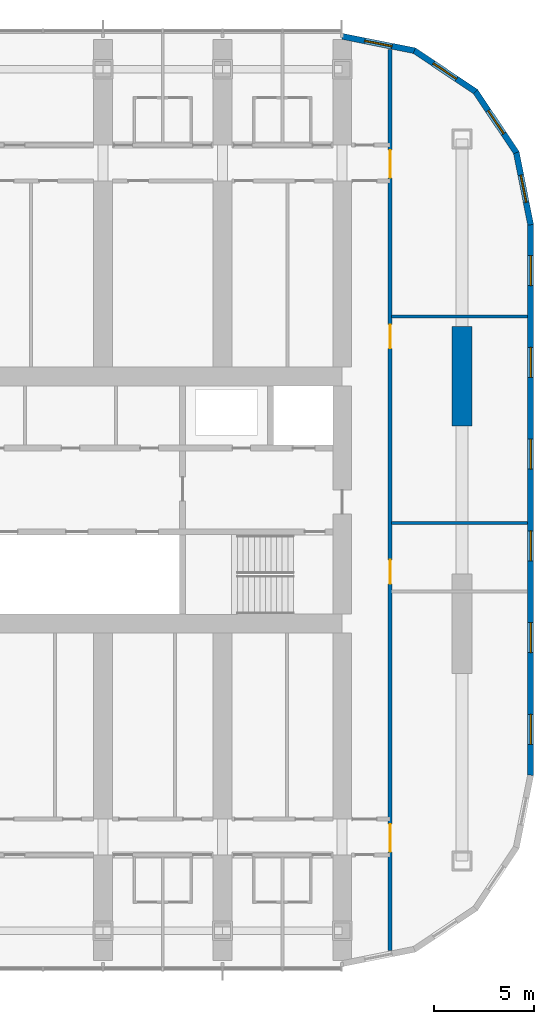
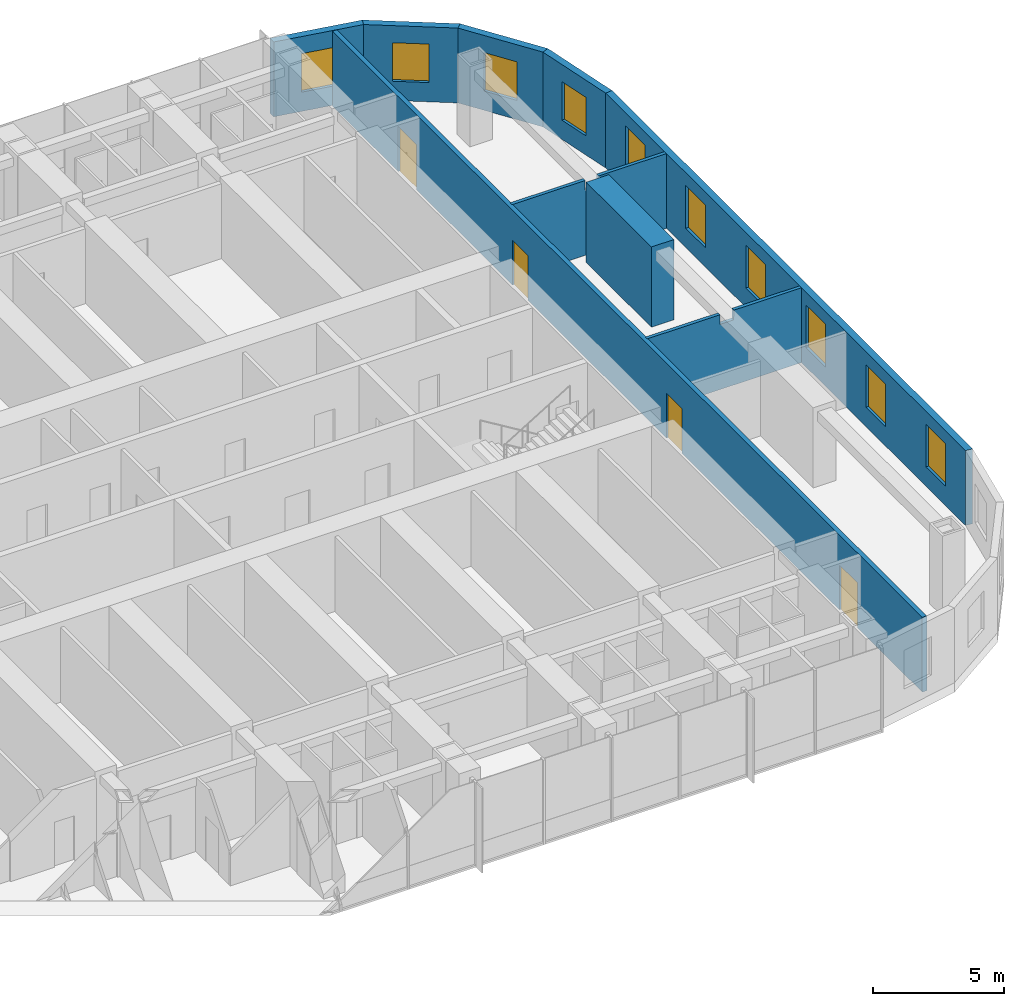
# One storey, part 18 of 25: 10 windows, 9 walls, 4 doors, 14 openings.
"""IFC4 building model written with IfcOpenShell, lengths in metres."""

from ifc_helpers import new_model, si_unit, direction, frame, frame_2d, origin, place, context, subcontext, project, spatial, polyline, rectangle, outline, extrude, material, layer, layer_set, type_object, element, fill, save


model = new_model("IFC4")

# Units and contexts
model_context = context("Model", 3, precision=1e-05, world=origin(), true_north=direction((0.0, 1.0)))
body_context = subcontext(model_context, "Body", "Model", "MODEL_VIEW")
ifc_project = project(units=[si_unit("LENGTHUNIT", "METRE"), si_unit("AREAUNIT", "SQUARE_METRE"), si_unit("VOLUMEUNIT", "CUBIC_METRE"), si_unit("PLANEANGLEUNIT", "RADIAN"), si_unit("MASSUNIT", "GRAM", prefix="KILO")], contexts=[model_context])

# Site, building, storey
site_placement = place(None, origin())
site = spatial("IfcSite", under=ifc_project, at=site_placement, CompositionType="ELEMENT")
building_placement = place(site_placement, origin())
building = spatial("IfcBuilding", under=site, at=building_placement, Name="Orbita Commons", CompositionType="ELEMENT")
storey_placement = place(building_placement, frame((0.0, 0.0, 99.39990234375)))
storey = spatial("IfcBuildingStorey", under=building, at=storey_placement, Name="L24", CompositionType="ELEMENT", Elevation=99.39990234375)

# Wall, openings, doors
ifc_material_1 = material(Name="Concrete blockwork", Category="masonry")
ifc_layer_1 = layer(ifc_material_1, 0.199951171875)
ifc_layer_set_1 = layer_set([ifc_layer_1], Name="Concrete blockwork")
wall_type_1 = type_object("IfcWallType", Name="Corridor wall 200 blockwork", PredefinedType="SOLIDWALL", material=ifc_layer_set_1)
wall_1_placement = place(storey_placement, frame((68.39990234375, 9.4052734375, 0.0), z_axis=(0.0, 0.0, 1.0), x_axis=(0.0, 1.0, 0.0)))
wall_1 = element("IfcWall", 1, at=wall_1_placement, inside=storey, type_object=wall_type_1, Name="Corridor wall 200 blockwork L24", PredefinedType="SOLIDWALL", context=body_context, shape_type="SweptSolid", body=[
    extrude(rectangle(XDim=45.189453125, YDim=0.199951171875, at=frame_2d((22.5947265625, 0.0))), origin(), (0.0, 0.0, 1.0), 3.5),
])
opening_1_placement = place(wall_1_placement, frame((18.394775390625, 0.0, 0.0)))
opening_1 = element("IfcOpeningElement", 2, at=opening_1_placement, cuts=wall_1, Name="Opening D15", PredefinedType="OPENING", context=body_context, shape_type="SweptSolid", body=[
    extrude(rectangle(XDim=1.199951171875, YDim=2.10009765625, at=frame_2d((0.60009765625, 1.050048828125))), frame((0.0, 0.10986328125, 0.0), z_axis=(0.0, -1.0, 0.0), x_axis=(1.0, 0.0, 0.0)), (0.0, 0.0, 1.0), 0.219970703125),
])
opening_2_placement = place(wall_1_placement, frame((30.19482421875, 0.0, 0.0)))
opening_2 = element("IfcOpeningElement", 3, at=opening_2_placement, cuts=wall_1, Name="Opening D15", PredefinedType="OPENING", context=body_context, shape_type="SweptSolid", body=[
    extrude(rectangle(XDim=1.199951171875, YDim=2.10009765625, at=frame_2d((0.60009765625, 1.050048828125))), frame((0.0, 0.10986328125, 0.0), z_axis=(0.0, -1.0, 0.0), x_axis=(1.0, 0.0, 0.0)), (0.0, 0.0, 1.0), 0.219970703125),
])
opening_3_placement = place(wall_1_placement, frame((4.94482421875, 0.0, 0.0)))
opening_3 = element("IfcOpeningElement", 4, at=opening_3_placement, cuts=wall_1, Name="Opening D08", PredefinedType="OPENING", context=body_context, shape_type="SweptSolid", body=[
    extrude(rectangle(XDim=1.39990234375, YDim=2.10009765625, at=frame_2d((0.699951171875, 1.050048828125))), frame((0.0, 0.10986328125, 0.0), z_axis=(0.0, -1.0, 0.0), x_axis=(1.0, 0.0, 0.0)), (0.0, 0.0, 1.0), 0.219970703125),
])
opening_4_placement = place(wall_1_placement, frame((38.74462890625, 0.0, 0.0)))
opening_4 = element("IfcOpeningElement", 5, at=opening_4_placement, cuts=wall_1, Name="Opening D08", PredefinedType="OPENING", context=body_context, shape_type="SweptSolid", body=[
    extrude(rectangle(XDim=1.39990234375, YDim=2.10009765625, at=frame_2d((0.699951171875, 1.050048828125))), frame((0.0, 0.10986328125, 0.0), z_axis=(0.0, -1.0, 0.0), x_axis=(1.0, 0.0, 0.0)), (0.0, 0.0, 1.0), 0.219970703125),
])
ifc_material_2 = material(Name="Steel-faced fire door leaf", Category="steel")
door_type_1 = type_object("IfcDoorType", Name="Corridor door 20 min 1200x2100", OperationType="SINGLE_SWING_LEFT", PredefinedType="DOOR", material=ifc_material_2)
door_1_placement = place(opening_1_placement, origin())
door_1 = element("IfcDoor", 6, at=door_1_placement, inside=storey, type_object=door_type_1, Name="Mountain-view lounge door", OperationType="SINGLE_SWING_LEFT", OverallHeight=2.10009765625, OverallWidth=1.199951171875, PredefinedType="DOOR", context=body_context, shape_type="SweptSolid", body=[
    extrude(rectangle(XDim=1.199951171875, YDim=2.10009765625, at=frame_2d((0.60009765625, 1.050048828125))), frame((0.0, 0.02490234375, 0.0), z_axis=(0.0, -1.0, 0.0), x_axis=(1.0, 0.0, 0.0)), (0.0, 0.0, 1.0), 0.050048828125),
])
fill(opening_1, door_1)
door_2_placement = place(opening_2_placement, origin())
door_2 = element("IfcDoor", 7, at=door_2_placement, inside=storey, type_object=door_type_1, Name="Reading room door", OperationType="SINGLE_SWING_LEFT", OverallHeight=2.10009765625, OverallWidth=1.199951171875, PredefinedType="DOOR", context=body_context, shape_type="SweptSolid", body=[
    extrude(rectangle(XDim=1.199951171875, YDim=2.10009765625, at=frame_2d((0.60009765625, 1.050048828125))), frame((0.0, 0.02490234375, 0.0), z_axis=(0.0, -1.0, 0.0), x_axis=(1.0, 0.0, 0.0)), (0.0, 0.0, 1.0), 0.050048828125),
])
fill(opening_2, door_2)
ifc_material_3 = material(Name="Steel-faced fire door leaf", Category="steel")
door_type_2 = type_object("IfcDoorType", Name="Double corridor door 20 min 1400x2100", OperationType="DOUBLE_DOOR_SINGLE_SWING", PredefinedType="DOOR", material=ifc_material_3)
door_3_placement = place(opening_3_placement, origin())
door_3 = element("IfcDoor", 8, at=door_3_placement, inside=storey, type_object=door_type_2, Name="Lounge doors", OperationType="DOUBLE_DOOR_SINGLE_SWING", OverallHeight=2.10009765625, OverallWidth=1.39990234375, PredefinedType="DOOR", context=body_context, shape_type="SweptSolid", body=[
    extrude(rectangle(XDim=1.39990234375, YDim=2.10009765625, at=frame_2d((0.699951171875, 1.050048828125))), frame((0.0, 0.02490234375, 0.0), z_axis=(0.0, -1.0, 0.0), x_axis=(1.0, 0.0, 0.0)), (0.0, 0.0, 1.0), 0.050048828125),
])
fill(opening_3, door_3)
door_4_placement = place(opening_4_placement, origin())
door_4 = element("IfcDoor", 9, at=door_4_placement, inside=storey, type_object=door_type_2, Name="Lounge doors", OperationType="DOUBLE_DOOR_SINGLE_SWING", OverallHeight=2.10009765625, OverallWidth=1.39990234375, PredefinedType="DOOR", context=body_context, shape_type="SweptSolid", body=[
    extrude(rectangle(XDim=1.39990234375, YDim=2.10009765625, at=frame_2d((0.699951171875, 1.050048828125))), frame((0.0, 0.02490234375, 0.0), z_axis=(0.0, -1.0, 0.0), x_axis=(1.0, 0.0, 0.0)), (0.0, 0.0, 1.0), 0.050048828125),
])
fill(opening_4, door_4)

# Walls
ifc_material_4 = material(Name="Concrete C50/60", Category="concrete")
ifc_layer_2 = layer(ifc_material_4, 1.0)
ifc_layer_set_2 = layer_set([ifc_layer_2], Name="Concrete C50/60")
wall_type_2 = type_object("IfcWallType", Name="End pier 1000x5000 C50/60", PredefinedType="SHEAR", material=ifc_layer_set_2)
wall_2_placement = place(storey_placement, frame((72.0, 35.699951171875, 0.0), z_axis=(0.0, 0.0, 1.0), x_axis=(0.0, 1.0, 0.0)))
element("IfcWall", 10, at=wall_2_placement, inside=storey, type_object=wall_type_2, Name="End pier 13/D L24", PredefinedType="SHEAR", context=body_context, shape_type="SweptSolid", body=[
    extrude(rectangle(XDim=5.0, YDim=1.0, at=frame_2d((2.5, 0.0))), origin(), (0.0, 0.0, 1.0), 3.75),
])
ifc_material_5 = material(Name="Gypsum plasterboard on steel studs", Category="steel")
ifc_layer_3 = layer(ifc_material_5, 0.14990234375)
ifc_layer_set_3 = layer_set([ifc_layer_3], Name="Gypsum plasterboard on steel studs")
wall_type_3 = type_object("IfcWallType", Name="Partition 150 plasterboard", PredefinedType="PARTITIONING", material=ifc_layer_set_3)
for number, where, z_axis, x_axis, name in (
    (11, (68.47509765625, 30.85009765625, 0.0), (0.0, 0.0, 1.0), (1.0, 0.0, 0.0), "Partition 150 plasterboard L24"),
    (12, (68.47509765625, 41.199951171875, 0.0), (0.0, 0.0, 1.0), (1.0, 0.0, 0.0), "Partition 150 plasterboard L24"),
):
    element("IfcWall", number, at=place(storey_placement, frame(where, z_axis=z_axis, x_axis=x_axis)), inside=storey, type_object=wall_type_3, Name=name, PredefinedType="PARTITIONING", context=body_context, shape_type="SweptSolid", body=[
        extrude(outline(polyline([(0.0, 0.0), (6.81982421875, 0.0), (6.820068359375, 3.5), (3.826904296875, 3.5), (3.824951171875, 3.050048828125), (3.22705078125, 3.050048828125), (3.22509765625, 3.5), (0.0, 3.5), (0.0, 0.0)])), frame((0.0, 0.074951171875, 0.0), z_axis=(0.0, -1.0, 0.0), x_axis=(1.0, 0.0, 0.0)), (0.0, 0.0, 1.0), 0.14990234375),
    ])

# Wall, openings, windows
ifc_material_6 = material(Name="Precast concrete C40/50, white board-marked finish", Category="concrete")
ifc_layer_4 = layer(ifc_material_6, 0.300048828125)
ifc_layer_set_4 = layer_set([ifc_layer_4], Name="Precast concrete C40/50, white board-marked finish")
wall_type_4 = type_object("IfcWallType", Name="Precast concrete end shield 300", PredefinedType="SOLIDWALL", material=ifc_layer_set_4)
wall_3_placement = place(storey_placement, frame((75.449951171875, 18.199951171875, 0.0), z_axis=(0.0, 0.0, 1.0), x_axis=(0.0, 1.0, 0.0)))
wall_3 = element("IfcWall", 13, at=wall_3_placement, inside=storey, type_object=wall_type_4, Name="End shield E L24", PredefinedType="SOLIDWALL", context=body_context, shape_type="SweptSolid", body=[
    extrude(outline(polyline([(-0.014892578125, -0.14990234375), (27.614990234375, -0.14990234375), (27.585205078125, 0.14990234375), (0.014892578125, 0.14990234375), (-0.014892578125, -0.14990234375)])), origin(), (0.0, 0.0, 1.0), 3.5),
])
opening_5_placement = place(wall_3_placement, frame((1.550048828125, 0.0, 0.89990234375)))
opening_5 = element("IfcOpeningElement", 14, at=opening_5_placement, cuts=wall_3, Name="Opening W01", PredefinedType="OPENING", context=body_context, shape_type="SweptSolid", body=[
    extrude(rectangle(XDim=1.5, YDim=2.0, at=frame_2d((0.75, 1.0))), frame((0.0, 0.159912109375, 0.0), z_axis=(0.0, -1.0, 0.0), x_axis=(1.0, 0.0, 0.0)), (0.0, 0.0, 1.0), 0.320068359375),
])
opening_6_placement = place(wall_3_placement, frame((6.14990234375, 0.0, 0.89990234375)))
opening_6 = element("IfcOpeningElement", 15, at=opening_6_placement, cuts=wall_3, Name="Opening W01", PredefinedType="OPENING", context=body_context, shape_type="SweptSolid", body=[
    extrude(rectangle(XDim=1.5, YDim=2.0, at=frame_2d((0.75, 1.0))), frame((0.0, 0.159912109375, 0.0), z_axis=(0.0, -1.0, 0.0), x_axis=(1.0, 0.0, 0.0)), (0.0, 0.0, 1.0), 0.320068359375),
])
opening_7_placement = place(wall_3_placement, frame((10.75, 0.0, 0.89990234375)))
opening_7 = element("IfcOpeningElement", 16, at=opening_7_placement, cuts=wall_3, Name="Opening W01", PredefinedType="OPENING", context=body_context, shape_type="SweptSolid", body=[
    extrude(rectangle(XDim=1.5, YDim=2.0, at=frame_2d((0.75, 1.0))), frame((0.0, 0.159912109375, 0.0), z_axis=(0.0, -1.0, 0.0), x_axis=(1.0, 0.0, 0.0)), (0.0, 0.0, 1.0), 0.320068359375),
])
opening_8_placement = place(wall_3_placement, frame((15.35009765625, 0.0, 0.89990234375)))
opening_8 = element("IfcOpeningElement", 17, at=opening_8_placement, cuts=wall_3, Name="Opening W01", PredefinedType="OPENING", context=body_context, shape_type="SweptSolid", body=[
    extrude(rectangle(XDim=1.5, YDim=2.0, at=frame_2d((0.75, 1.0))), frame((0.0, 0.159912109375, 0.0), z_axis=(0.0, -1.0, 0.0), x_axis=(1.0, 0.0, 0.0)), (0.0, 0.0, 1.0), 0.320068359375),
])
opening_9_placement = place(wall_3_placement, frame((19.949951171875, 0.0, 0.89990234375)))
opening_9 = element("IfcOpeningElement", 18, at=opening_9_placement, cuts=wall_3, Name="Opening W01", PredefinedType="OPENING", context=body_context, shape_type="SweptSolid", body=[
    extrude(rectangle(XDim=1.5, YDim=2.0, at=frame_2d((0.75, 1.0))), frame((0.0, 0.159912109375, 0.0), z_axis=(0.0, -1.0, 0.0), x_axis=(1.0, 0.0, 0.0)), (0.0, 0.0, 1.0), 0.320068359375),
])
opening_10_placement = place(wall_3_placement, frame((24.550048828125, 0.0, 0.89990234375)))
opening_10 = element("IfcOpeningElement", 19, at=opening_10_placement, cuts=wall_3, Name="Opening W01", PredefinedType="OPENING", context=body_context, shape_type="SweptSolid", body=[
    extrude(rectangle(XDim=1.5, YDim=2.0, at=frame_2d((0.75, 1.0))), frame((0.0, 0.159912109375, 0.0), z_axis=(0.0, -1.0, 0.0), x_axis=(1.0, 0.0, 0.0)), (0.0, 0.0, 1.0), 0.320068359375),
])
ifc_material_7 = material(Name="Aluminium frame, clear double glazing", Category="aluminium")
window_type_1 = type_object("IfcWindowType", Name="Deep-set window 1500x2000", PartitioningType="SINGLE_PANEL", PredefinedType="WINDOW", material=ifc_material_7)
window_1_placement = place(opening_5_placement, origin())
window_1 = element("IfcWindow", 20, at=window_1_placement, inside=storey, type_object=window_type_1, Name="Window L24-E 1", OverallHeight=2.0, OverallWidth=1.5, PartitioningType="SINGLE_PANEL", PredefinedType="WINDOW", context=body_context, shape_type="SweptSolid", body=[
    extrude(rectangle(XDim=1.5, YDim=2.0, at=frame_2d((0.75, 1.0))), frame((0.0, 0.030029296875, 0.0), z_axis=(0.0, -1.0, 0.0), x_axis=(1.0, 0.0, 0.0)), (0.0, 0.0, 1.0), 0.06005859375),
])
fill(opening_5, window_1)
window_2_placement = place(opening_6_placement, origin())
window_2 = element("IfcWindow", 21, at=window_2_placement, inside=storey, type_object=window_type_1, Name="Window L24-E 2", OverallHeight=2.0, OverallWidth=1.5, PartitioningType="SINGLE_PANEL", PredefinedType="WINDOW", context=body_context, shape_type="SweptSolid", body=[
    extrude(rectangle(XDim=1.5, YDim=2.0, at=frame_2d((0.75, 1.0))), frame((0.0, 0.030029296875, 0.0), z_axis=(0.0, -1.0, 0.0), x_axis=(1.0, 0.0, 0.0)), (0.0, 0.0, 1.0), 0.06005859375),
])
fill(opening_6, window_2)
window_3_placement = place(opening_7_placement, origin())
window_3 = element("IfcWindow", 22, at=window_3_placement, inside=storey, type_object=window_type_1, Name="Window L24-E 3", OverallHeight=2.0, OverallWidth=1.5, PartitioningType="SINGLE_PANEL", PredefinedType="WINDOW", context=body_context, shape_type="SweptSolid", body=[
    extrude(rectangle(XDim=1.5, YDim=2.0, at=frame_2d((0.75, 1.0))), frame((0.0, 0.030029296875, 0.0), z_axis=(0.0, -1.0, 0.0), x_axis=(1.0, 0.0, 0.0)), (0.0, 0.0, 1.0), 0.06005859375),
])
fill(opening_7, window_3)
window_4_placement = place(opening_8_placement, origin())
window_4 = element("IfcWindow", 23, at=window_4_placement, inside=storey, type_object=window_type_1, Name="Window L24-E 4", OverallHeight=2.0, OverallWidth=1.5, PartitioningType="SINGLE_PANEL", PredefinedType="WINDOW", context=body_context, shape_type="SweptSolid", body=[
    extrude(rectangle(XDim=1.5, YDim=2.0, at=frame_2d((0.75, 1.0))), frame((0.0, 0.030029296875, 0.0), z_axis=(0.0, -1.0, 0.0), x_axis=(1.0, 0.0, 0.0)), (0.0, 0.0, 1.0), 0.06005859375),
])
fill(opening_8, window_4)
window_5_placement = place(opening_9_placement, origin())
window_5 = element("IfcWindow", 24, at=window_5_placement, inside=storey, type_object=window_type_1, Name="Window L24-E 5", OverallHeight=2.0, OverallWidth=1.5, PartitioningType="SINGLE_PANEL", PredefinedType="WINDOW", context=body_context, shape_type="SweptSolid", body=[
    extrude(rectangle(XDim=1.5, YDim=2.0, at=frame_2d((0.75, 1.0))), frame((0.0, 0.030029296875, 0.0), z_axis=(0.0, -1.0, 0.0), x_axis=(1.0, 0.0, 0.0)), (0.0, 0.0, 1.0), 0.06005859375),
])
fill(opening_9, window_5)
window_6_placement = place(opening_10_placement, origin())
window_6 = element("IfcWindow", 25, at=window_6_placement, inside=storey, type_object=window_type_1, Name="Window L24-E 6", OverallHeight=2.0, OverallWidth=1.5, PartitioningType="SINGLE_PANEL", PredefinedType="WINDOW", context=body_context, shape_type="SweptSolid", body=[
    extrude(rectangle(XDim=1.5, YDim=2.0, at=frame_2d((0.75, 1.0))), frame((0.0, 0.030029296875, 0.0), z_axis=(0.0, -1.0, 0.0), x_axis=(1.0, 0.0, 0.0)), (0.0, 0.0, 1.0), 0.06005859375),
])
fill(opening_10, window_6)

# Wall, opening, window
wall_4_placement = place(storey_placement, frame((75.449951171875, 45.800048828125, 0.0), z_axis=(0.0, 0.0, 1.0), x_axis=(-0.195059183267, 0.980791473772, 0.0)))
wall_4 = element("IfcWall", 26, at=wall_4_placement, inside=storey, type_object=wall_type_4, Name="End shield NE chord 1 L24", PredefinedType="SOLIDWALL", context=body_context, shape_type="SweptSolid", body=[
    extrude(outline(polyline([(-0.014892578125, -0.14990234375), (3.717041015625, -0.14990234375), (3.657470703125, 0.14990234375), (0.014892578125, 0.14990234375), (-0.014892578125, -0.14990234375)])), origin(), (0.0, 0.0, 1.0), 3.5),
])
opening_11_placement = place(wall_4_placement, frame((1.1435546875, 0.0, 0.89990234375)))
opening_11 = element("IfcOpeningElement", 27, at=opening_11_placement, cuts=wall_4, Name="Opening W02", PredefinedType="OPENING", context=body_context, shape_type="SweptSolid", body=[
    extrude(rectangle(XDim=1.39990234375, YDim=1.800048828125, at=frame_2d((0.699951171875, 0.89990234375))), frame((0.0, 0.159912109375, 0.0), z_axis=(0.0, -1.0, 0.0), x_axis=(1.0, 0.0, 0.0)), (0.0, 0.0, 1.0), 0.320068359375),
])
ifc_material_8 = material(Name="Aluminium frame, clear double glazing", Category="aluminium")
window_type_2 = type_object("IfcWindowType", Name="Deep-set window 1400x1800", PartitioningType="SINGLE_PANEL", PredefinedType="WINDOW", material=ifc_material_8)
window_7_placement = place(opening_11_placement, origin())
window_7 = element("IfcWindow", 28, at=window_7_placement, inside=storey, type_object=window_type_2, Name="Window L24-NE0", OverallHeight=1.800048828125, OverallWidth=1.39990234375, PartitioningType="SINGLE_PANEL", PredefinedType="WINDOW", context=body_context, shape_type="SweptSolid", body=[
    extrude(rectangle(XDim=1.39990234375, YDim=1.800048828125, at=frame_2d((0.699951171875, 0.89990234375))), frame((0.0, 0.030029296875, 0.0), z_axis=(0.0, -1.0, 0.0), x_axis=(1.0, 0.0, 0.0)), (0.0, 0.0, 1.0), 0.06005859375),
])
fill(opening_11, window_7)

wall_5_placement = place(storey_placement, frame((74.730712890625, 49.41650390625, 0.0), z_axis=(0.0, 0.0, 1.0), x_axis=(-0.555601399253, 0.831448786846, 0.0)))
wall_5 = element("IfcWall", 29, at=wall_5_placement, inside=storey, type_object=wall_type_4, Name="End shield NE chord 2 L24", PredefinedType="SOLIDWALL", context=body_context, shape_type="SweptSolid", body=[
    extrude(outline(polyline([(-0.02978515625, -0.14990234375), (3.717041015625, -0.14990234375), (3.657470703125, 0.14990234375), (0.02978515625, 0.14990234375), (-0.02978515625, -0.14990234375)])), origin(), (0.0, 0.0, 1.0), 3.5),
])
opening_12_placement = place(wall_5_placement, frame((1.1435546875, 0.0, 0.89990234375)))
opening_12 = element("IfcOpeningElement", 30, at=opening_12_placement, cuts=wall_5, Name="Opening W02", PredefinedType="OPENING", context=body_context, shape_type="SweptSolid", body=[
    extrude(rectangle(XDim=1.39990234375, YDim=1.800048828125, at=frame_2d((0.699951171875, 0.89990234375))), frame((0.0, 0.159912109375, 0.0), z_axis=(0.0, -1.0, 0.0), x_axis=(1.0, 0.0, 0.0)), (0.0, 0.0, 1.0), 0.320068359375),
])
window_8_placement = place(opening_12_placement, origin())
window_8 = element("IfcWindow", 31, at=window_8_placement, inside=storey, type_object=window_type_2, Name="Window L24-NE1", OverallHeight=1.800048828125, OverallWidth=1.39990234375, PartitioningType="SINGLE_PANEL", PredefinedType="WINDOW", context=body_context, shape_type="SweptSolid", body=[
    extrude(rectangle(XDim=1.39990234375, YDim=1.800048828125, at=frame_2d((0.699951171875, 0.89990234375))), frame((0.0, 0.030029296875, 0.0), z_axis=(0.0, -1.0, 0.0), x_axis=(1.0, 0.0, 0.0)), (0.0, 0.0, 1.0), 0.06005859375),
])
fill(opening_12, window_8)

wall_6_placement = place(storey_placement, frame((72.68212890625, 52.482177734375, 0.0), z_axis=(0.0, 0.0, 1.0), x_axis=(-0.831448786846, 0.555601399253, 0.0)))
wall_6 = element("IfcWall", 32, at=wall_6_placement, inside=storey, type_object=wall_type_4, Name="End shield NE chord 3 L24", PredefinedType="SOLIDWALL", context=body_context, shape_type="SweptSolid", body=[
    extrude(outline(polyline([(-0.02978515625, -0.14990234375), (3.717041015625, -0.14990234375), (3.657470703125, 0.14990234375), (0.02978515625, 0.14990234375), (-0.02978515625, -0.14990234375)])), origin(), (0.0, 0.0, 1.0), 3.5),
])
opening_13_placement = place(wall_6_placement, frame((1.1435546875, 0.0, 0.89990234375)))
opening_13 = element("IfcOpeningElement", 33, at=opening_13_placement, cuts=wall_6, Name="Opening W02", PredefinedType="OPENING", context=body_context, shape_type="SweptSolid", body=[
    extrude(rectangle(XDim=1.39990234375, YDim=1.800048828125, at=frame_2d((0.699951171875, 0.89990234375))), frame((0.0, 0.159912109375, 0.0), z_axis=(0.0, -1.0, 0.0), x_axis=(1.0, 0.0, 0.0)), (0.0, 0.0, 1.0), 0.320068359375),
])
window_9_placement = place(opening_13_placement, origin())
window_9 = element("IfcWindow", 34, at=window_9_placement, inside=storey, type_object=window_type_2, Name="Window L24-NE2", OverallHeight=1.800048828125, OverallWidth=1.39990234375, PartitioningType="SINGLE_PANEL", PredefinedType="WINDOW", context=body_context, shape_type="SweptSolid", body=[
    extrude(rectangle(XDim=1.39990234375, YDim=1.800048828125, at=frame_2d((0.699951171875, 0.89990234375))), frame((0.0, 0.030029296875, 0.0), z_axis=(0.0, -1.0, 0.0), x_axis=(1.0, 0.0, 0.0)), (0.0, 0.0, 1.0), 0.06005859375),
])
fill(opening_13, window_9)

wall_7_placement = place(storey_placement, frame((69.616455078125, 54.53076171875, 0.0), z_axis=(0.0, 0.0, 1.0), x_axis=(-0.980791473772, 0.195059183267, 0.0)))
wall_7 = element("IfcWall", 35, at=wall_7_placement, inside=storey, type_object=wall_type_4, Name="End shield NE chord 4 L24", PredefinedType="SOLIDWALL", context=body_context, shape_type="SweptSolid", body=[
    extrude(outline(polyline([(-0.02978515625, -0.14990234375), (3.717041015625, -0.14990234375), (3.657470703125, 0.14990234375), (0.02978515625, 0.14990234375), (-0.02978515625, -0.14990234375)])), origin(), (0.0, 0.0, 1.0), 3.5),
])
opening_14_placement = place(wall_7_placement, frame((1.1435546875, 0.0, 0.89990234375)))
opening_14 = element("IfcOpeningElement", 36, at=opening_14_placement, cuts=wall_7, Name="Opening W02", PredefinedType="OPENING", context=body_context, shape_type="SweptSolid", body=[
    extrude(rectangle(XDim=1.39990234375, YDim=1.800048828125, at=frame_2d((0.699951171875, 0.89990234375))), frame((0.0, 0.159912109375, 0.0), z_axis=(0.0, -1.0, 0.0), x_axis=(1.0, 0.0, 0.0)), (0.0, 0.0, 1.0), 0.320068359375),
])
window_10_placement = place(opening_14_placement, origin())
window_10 = element("IfcWindow", 37, at=window_10_placement, inside=storey, type_object=window_type_2, Name="Window L24-NE3", OverallHeight=1.800048828125, OverallWidth=1.39990234375, PartitioningType="SINGLE_PANEL", PredefinedType="WINDOW", context=body_context, shape_type="SweptSolid", body=[
    extrude(rectangle(XDim=1.39990234375, YDim=1.800048828125, at=frame_2d((0.699951171875, 0.89990234375))), frame((0.0, 0.030029296875, 0.0), z_axis=(0.0, -1.0, 0.0), x_axis=(1.0, 0.0, 0.0)), (0.0, 0.0, 1.0), 0.06005859375),
])
fill(opening_14, window_10)

save(model, "model.ifc")
